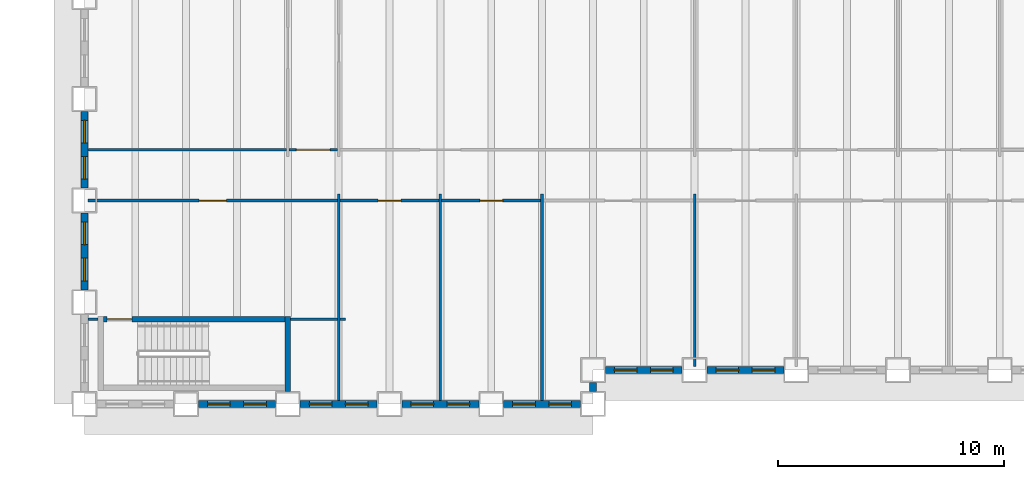
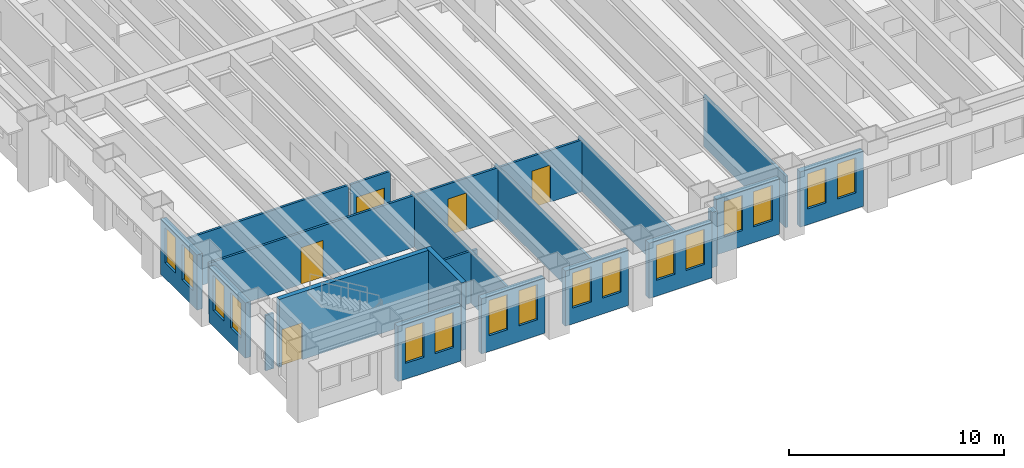
# One storey, part 3 of 16: 23 walls, 16 windows, 5 doors, 21 openings.
"""IFC4 building model written with IfcOpenShell, lengths in metres."""

from ifc_helpers import new_model, si_unit, direction, frame, frame_2d, origin, place, context, subcontext, project, spatial, rectangle, extrude, material, layer, layer_set, type_object, element, fill, save


model = new_model("IFC4")

# Units and contexts
model_context = context("Model", 3, precision=1e-05, world=origin(), true_north=direction((0.0, 1.0)))
body_context = subcontext(model_context, "Body", "Model", "MODEL_VIEW")
ifc_project = project(units=[si_unit("LENGTHUNIT", "METRE"), si_unit("AREAUNIT", "SQUARE_METRE"), si_unit("VOLUMEUNIT", "CUBIC_METRE"), si_unit("PLANEANGLEUNIT", "RADIAN"), si_unit("MASSUNIT", "GRAM", prefix="KILO")], contexts=[model_context])

# Site, building, storey
site_placement = place(None, origin())
site = spatial("IfcSite", under=ifc_project, at=site_placement, CompositionType="ELEMENT")
building_placement = place(site_placement, origin())
building = spatial("IfcBuilding", under=site, at=building_placement, Name="Sennacour Bend Tower", CompositionType="ELEMENT")
storey_placement = place(building_placement, frame((0.0, 0.0, 69.0)))
storey = spatial("IfcBuildingStorey", under=building, at=storey_placement, Name="L15", CompositionType="ELEMENT", Elevation=69.0)

# Walls
ifc_material_1 = material(Name="Plasterboard partition on steel studs", Category="steel")
ifc_layer_1 = layer(ifc_material_1, 0.1201171875, Name="Plasterboard partition on steel studs", Category="steel")
ifc_layer_set_1 = layer_set([ifc_layer_1], Name="Plasterboard partition on steel studs")
wall_type_1 = type_object("IfcWallType", Name="Partition 120", PredefinedType="PARTITIONING", material=ifc_layer_set_1)
for number, where, z_axis, x_axis, name in (
    (1, (11.25, 0.14990234375, 0.0), (0.0, 0.0, 1.0), (0.0, 1.0, 0.0), "P-L15-W013a"),
    (2, (15.75, 0.14990234375, 0.0), (0.0, 0.0, 1.0), (0.0, 1.0, 0.0), "P-L15-W019a"),
    (3, (20.25, 0.14990234375, 0.0), (0.0, 0.0, 1.0), (0.0, 1.0, 0.0), "P-L15-W024a"),
):
    element("IfcWall", number, at=place(storey_placement, frame(where, z_axis=z_axis, x_axis=x_axis)), inside=storey, type_object=wall_type_1, Name=name, PredefinedType="PARTITIONING", context=body_context, shape_type="SweptSolid", body=[
        extrude(rectangle(XDim=9.150146484375, YDim=0.1201171875, at=frame_2d((4.5751953125, 0.0))), origin(), (0.0, 0.0, 1.0), 2.93798828125),
    ])
wall_1_placement = place(storey_placement, frame((27.0, 1.64990234375, 0.0), z_axis=(0.0, 0.0, 1.0), x_axis=(0.0, 1.0, 0.0)))
element("IfcWall", 4, at=wall_1_placement, inside=storey, type_object=wall_type_1, Name="P-L15-W026a", PredefinedType="PARTITIONING", context=body_context, shape_type="SweptSolid", body=[
    extrude(rectangle(XDim=7.650146484375, YDim=0.1201171875, at=frame_2d((3.8251953125, 0.0))), origin(), (0.0, 0.0, 1.0), 2.93798828125),
])
wall_2_placement = place(storey_placement, frame((0.14990234375, 3.75, 0.0), z_axis=(0.0, 0.0, 1.0), x_axis=(1.0, 0.0, 0.0)))
element("IfcWall", 5, at=wall_2_placement, inside=storey, type_object=wall_type_1, Name="P-L15-W053a", PredefinedType="PARTITIONING", context=body_context, shape_type="SweptSolid", body=[
    extrude(rectangle(XDim=0.4501953125, YDim=0.1201171875, at=frame_2d((0.22509765625, 0.0))), origin(), (0.0, 0.0, 1.0), 3.14404296875),
])
wall_3_placement = place(storey_placement, frame((9.125, 3.75, 0.0), z_axis=(0.0, 0.0, 1.0), x_axis=(1.0, 0.0, 0.0)))
element("IfcWall", 6, at=wall_3_placement, inside=storey, type_object=wall_type_1, Name="P-L15-W055aa", PredefinedType="PARTITIONING", context=body_context, shape_type="SweptSolid", body=[
    extrude(rectangle(XDim=2.06494140625, YDim=0.1201171875, at=frame_2d((1.032470703125, 0.0))), origin(), (0.0, 0.0, 1.0), 2.93798828125),
])
wall_4_placement = place(storey_placement, frame((11.31005859375, 3.75, 0.0), z_axis=(0.0, 0.0, 1.0), x_axis=(1.0, 0.0, 0.0)))
element("IfcWall", 7, at=wall_4_placement, inside=storey, type_object=wall_type_1, Name="P-L15-W055ab", PredefinedType="PARTITIONING", context=body_context, shape_type="SweptSolid", body=[
    extrude(rectangle(XDim=0.239990234375, YDim=0.1201171875, at=frame_2d((0.1201171875, 0.0))), origin(), (0.0, 0.0, 1.0), 2.93798828125),
])

# Wall, opening, door
wall_5_placement = place(storey_placement, frame((11.31005859375, 9.0, 0.0), z_axis=(0.0, 0.0, 1.0), x_axis=(1.0, 0.0, 0.0)))
wall_5 = element("IfcWall", 8, at=wall_5_placement, inside=storey, type_object=wall_type_1, Name="P-L15-W061ab", PredefinedType="PARTITIONING", context=body_context, shape_type="SweptSolid", body=[
    extrude(rectangle(XDim=4.3798828125, YDim=0.1201171875, at=frame_2d((2.18994140625, 0.0))), origin(), (0.0, 0.0, 1.0), 2.93798828125),
])
opening_1_placement = place(wall_5_placement, frame((1.68994140625, 0.0, 0.0)))
opening_1 = element("IfcOpeningElement", 9, at=opening_1_placement, cuts=wall_5, Name="Opening OD2", PredefinedType="OPENING", context=body_context, shape_type="SweptSolid", body=[
    extrude(rectangle(XDim=1.0, YDim=2.10009765625, at=frame_2d((0.5, 1.050048828125))), frame((0.0, 0.070068359375, 0.0), z_axis=(0.0, -1.0, 0.0), x_axis=(1.0, 0.0, 0.0)), (0.0, 0.0, 1.0), 0.14013671875),
])
ifc_material_2 = material(Name="Timber", Category="wood")
door_type_1 = type_object("IfcDoorType", Name="DR-OFFICE-1000", OperationType="NOTDEFINED", PredefinedType="DOOR", material=ifc_material_2)
door_1_placement = place(opening_1_placement, origin())
door_1 = element("IfcDoor", 10, at=door_1_placement, inside=storey, type_object=door_type_1, Name="Door", OperationType="SINGLE_SWING_LEFT", OverallHeight=2.10009765625, OverallWidth=1.0, PredefinedType="DOOR", context=body_context, shape_type="SweptSolid", body=[
    extrude(rectangle(XDim=1.0, YDim=2.10009765625, at=frame_2d((0.5, 1.050048828125))), frame((0.0, 0.02490234375, 0.0), z_axis=(0.0, -1.0, 0.0), x_axis=(1.0, 0.0, 0.0)), (0.0, 0.0, 1.0), 0.050048828125),
])
fill(opening_1, door_1)

wall_6_placement = place(storey_placement, frame((15.81005859375, 9.0, 0.0), z_axis=(0.0, 0.0, 1.0), x_axis=(1.0, 0.0, 0.0)))
wall_6 = element("IfcWall", 11, at=wall_6_placement, inside=storey, type_object=wall_type_1, Name="P-L15-W061ac", PredefinedType="PARTITIONING", context=body_context, shape_type="SweptSolid", body=[
    extrude(rectangle(XDim=4.3798828125, YDim=0.1201171875, at=frame_2d((2.18994140625, 0.0))), origin(), (0.0, 0.0, 1.0), 2.93798828125),
])
opening_2_placement = place(wall_6_placement, frame((1.68994140625, 0.0, 0.0)))
opening_2 = element("IfcOpeningElement", 12, at=opening_2_placement, cuts=wall_6, Name="Opening MD2", PredefinedType="OPENING", context=body_context, shape_type="SweptSolid", body=[
    extrude(rectangle(XDim=1.0, YDim=2.10009765625, at=frame_2d((0.5, 1.050048828125))), frame((0.0, 0.070068359375, 0.0), z_axis=(0.0, -1.0, 0.0), x_axis=(1.0, 0.0, 0.0)), (0.0, 0.0, 1.0), 0.14013671875),
])
door_type_2 = type_object("IfcDoorType", Name="DR-MEETING-1000", OperationType="NOTDEFINED", PredefinedType="DOOR", material=ifc_material_2)
door_2_placement = place(opening_2_placement, origin())
door_2 = element("IfcDoor", 13, at=door_2_placement, inside=storey, type_object=door_type_2, Name="Door", OperationType="SINGLE_SWING_LEFT", OverallHeight=2.10009765625, OverallWidth=1.0, PredefinedType="DOOR", context=body_context, shape_type="SweptSolid", body=[
    extrude(rectangle(XDim=1.0, YDim=2.10009765625, at=frame_2d((0.5, 1.050048828125))), frame((0.0, 0.02490234375, 0.0), z_axis=(0.0, -1.0, 0.0), x_axis=(1.0, 0.0, 0.0)), (0.0, 0.0, 1.0), 0.050048828125),
])
fill(opening_2, door_2)

# Wall
wall_7_placement = place(storey_placement, frame((0.14990234375, 11.25, 0.0), z_axis=(0.0, 0.0, 1.0), x_axis=(1.0, 0.0, 0.0)))
element("IfcWall", 14, at=wall_7_placement, inside=storey, type_object=wall_type_1, Name="P-L15-W063aa", PredefinedType="PARTITIONING", context=body_context, shape_type="SweptSolid", body=[
    extrude(rectangle(XDim=8.7900390625, YDim=0.1201171875, at=frame_2d((4.39501953125, 0.0))), origin(), (0.0, 0.0, 1.0), 2.93798828125),
])

# Wall, opening, door
ifc_layer_2 = layer(ifc_material_1, 0.1201171875, Name="Plasterboard partition on steel studs", Category="steel")
ifc_layer_set_2 = layer_set([ifc_layer_2], Name="Plasterboard partition on steel studs")
wall_type_2 = type_object("IfcWallType", Name="Partition 120 EI 30", PredefinedType="PARTITIONING", material=ifc_layer_set_2)
wall_8_placement = place(storey_placement, frame((0.14990234375, 9.0, 0.0), z_axis=(0.0, 0.0, 1.0), x_axis=(1.0, 0.0, 0.0)))
wall_8 = element("IfcWall", 15, at=wall_8_placement, inside=storey, type_object=wall_type_2, Name="P-L15-W061aa", PredefinedType="PARTITIONING", context=body_context, shape_type="SweptSolid", body=[
    extrude(rectangle(XDim=11.0400390625, YDim=0.1201171875, at=frame_2d((5.52001953125, 0.0))), origin(), (0.0, 0.0, 1.0), 2.93798828125),
])
opening_3_placement = place(wall_8_placement, frame((4.93017578125, 0.0, 0.0)))
opening_3 = element("IfcOpeningElement", 16, at=opening_3_placement, cuts=wall_8, Name="Opening KD2", PredefinedType="OPENING", context=body_context, shape_type="SweptSolid", body=[
    extrude(rectangle(XDim=1.199951171875, YDim=2.10009765625, at=frame_2d((0.60009765625, 1.050048828125))), frame((0.0, 0.070068359375, 0.0), z_axis=(0.0, -1.0, 0.0), x_axis=(1.0, 0.0, 0.0)), (0.0, 0.0, 1.0), 0.14013671875),
])
ifc_material_3 = material(Name="Painted steel", Category="steel")
door_type_3 = type_object("IfcDoorType", Name="DR-CORRIDOR-1200", OperationType="NOTDEFINED", PredefinedType="DOOR", material=ifc_material_3)
door_3_placement = place(opening_3_placement, origin())
door_3 = element("IfcDoor", 17, at=door_3_placement, inside=storey, type_object=door_type_3, Name="Door", OperationType="SINGLE_SWING_LEFT", OverallHeight=2.10009765625, OverallWidth=1.199951171875, PredefinedType="DOOR", context=body_context, shape_type="SweptSolid", body=[
    extrude(rectangle(XDim=1.199951171875, YDim=2.10009765625, at=frame_2d((0.60009765625, 1.050048828125))), frame((0.0, 0.02490234375, 0.0), z_axis=(0.0, -1.0, 0.0), x_axis=(1.0, 0.0, 0.0)), (0.0, 0.0, 1.0), 0.050048828125),
])
fill(opening_3, door_3)

wall_9_placement = place(storey_placement, frame((9.06005859375, 11.25, 0.0), z_axis=(0.0, 0.0, 1.0), x_axis=(1.0, 0.0, 0.0)))
wall_9 = element("IfcWall", 18, at=wall_9_placement, inside=storey, type_object=wall_type_2, Name="P-L15-W063ab", PredefinedType="PARTITIONING", context=body_context, shape_type="SweptSolid", body=[
    extrude(rectangle(XDim=2.1298828125, YDim=0.1201171875, at=frame_2d((1.06494140625, 0.0))), origin(), (0.0, 0.0, 1.0), 2.93798828125),
])
opening_4_placement = place(wall_9_placement, frame((0.31494140625, 0.0, 0.0)))
opening_4 = element("IfcOpeningElement", 19, at=opening_4_placement, cuts=wall_9, Name="Opening KD", PredefinedType="OPENING", context=body_context, shape_type="SweptSolid", body=[
    extrude(rectangle(XDim=1.5, YDim=2.10009765625, at=frame_2d((0.75, 1.050048828125))), frame((0.0, 0.070068359375, 0.0), z_axis=(0.0, -1.0, 0.0), x_axis=(1.0, 0.0, 0.0)), (0.0, 0.0, 1.0), 0.14013671875),
])
door_type_4 = type_object("IfcDoorType", Name="DR-CORRIDOR-1500", OperationType="NOTDEFINED", PredefinedType="DOOR", material=ifc_material_3)
door_4_placement = place(opening_4_placement, origin())
door_4 = element("IfcDoor", 20, at=door_4_placement, inside=storey, type_object=door_type_4, Name="Door", OperationType="SINGLE_SWING_LEFT", OverallHeight=2.10009765625, OverallWidth=1.5, PredefinedType="DOOR", context=body_context, shape_type="SweptSolid", body=[
    extrude(rectangle(XDim=1.5, YDim=2.10009765625, at=frame_2d((0.75, 1.050048828125))), frame((0.0, 0.02490234375, 0.0), z_axis=(0.0, -1.0, 0.0), x_axis=(1.0, 0.0, 0.0)), (0.0, 0.0, 1.0), 0.050048828125),
])
fill(opening_4, door_4)

# Wall, openings, windows
ifc_material_4 = material(Name="Warm limestone cladding", Category="masonry")
ifc_layer_3 = layer(ifc_material_4, 0.050048828125, Name="Warm limestone cladding", Category="masonry")
ifc_material_5 = material(Name="Precast concrete C40/50", Category="concrete")
ifc_layer_4 = layer(ifc_material_5, 0.25, Name="Precast concrete C40/50", Category="concrete")
ifc_layer_set_3 = layer_set([ifc_layer_3, ifc_layer_4], Name="Precast concrete C40/50 with limestone cladding")
wall_type_3 = type_object("IfcWallType", Name="STONE-CLAD PRECAST SPANDREL 300", PredefinedType="STANDARD", material=ifc_layer_set_3)
wall_10_placement = place(storey_placement, frame((5.050048828125, 0.0, 0.0), z_axis=(0.0, 0.0, 1.0), x_axis=(1.0, 0.0, 0.0)))
wall_10 = element("IfcWall", 21, at=wall_10_placement, inside=storey, type_object=wall_type_3, Name="Stone spandrel and pier wall L15 00.01", PredefinedType="STANDARD", context=body_context, shape_type="SweptSolid", body=[
    extrude(rectangle(XDim=3.39990234375, YDim=0.300048828125, at=frame_2d((1.699951171875, 0.0))), origin(), (0.0, 0.0, 1.0), 3.14404296875),
])
opening_5_placement = place(wall_10_placement, frame((0.39990234375, 0.0, 0.89990234375)))
opening_5 = element("IfcOpeningElement", 22, at=opening_5_placement, cuts=wall_10, Name="Opening W8", PredefinedType="OPENING", context=body_context, shape_type="SweptSolid", body=[
    extrude(rectangle(XDim=1.0, YDim=2.0, at=frame_2d((0.5, 1.0))), frame((0.0, 0.16015625, 0.0), z_axis=(0.0, -1.0, 0.0), x_axis=(1.0, 0.0, 0.0)), (0.0, 0.0, 1.0), 0.320068359375),
])
opening_6_placement = place(wall_10_placement, frame((2.0, 0.0, 0.89990234375)))
opening_6 = element("IfcOpeningElement", 23, at=opening_6_placement, cuts=wall_10, Name="Opening W8", PredefinedType="OPENING", context=body_context, shape_type="SweptSolid", body=[
    extrude(rectangle(XDim=1.0, YDim=2.0, at=frame_2d((0.5, 1.0))), frame((0.0, 0.16015625, 0.0), z_axis=(0.0, -1.0, 0.0), x_axis=(1.0, 0.0, 0.0)), (0.0, 0.0, 1.0), 0.320068359375),
])
ifc_material_6 = material(Name="Clear low-emissivity glass", Category="glass")
window_type = type_object("IfcWindowType", Name="WIN-RIBBON-1000x2000", PartitioningType="SINGLE_PANEL", PredefinedType="WINDOW", material=ifc_material_6)
window_1_placement = place(opening_5_placement, origin())
window_1 = element("IfcWindow", 24, at=window_1_placement, inside=storey, type_object=window_type, Name="Ribbon window L15 00.01.0", OverallHeight=2.0, OverallWidth=1.0, PartitioningType="SINGLE_PANEL", PredefinedType="WINDOW", context=body_context, shape_type="SweptSolid", body=[
    extrude(rectangle(XDim=1.0, YDim=2.0, at=frame_2d((0.5, 1.0))), frame((0.0, 0.030029296875, 0.0), z_axis=(0.0, -1.0, 0.0), x_axis=(1.0, 0.0, 0.0)), (0.0, 0.0, 1.0), 0.06005859375),
])
fill(opening_5, window_1)
window_2_placement = place(opening_6_placement, origin())
window_2 = element("IfcWindow", 25, at=window_2_placement, inside=storey, type_object=window_type, Name="Ribbon window L15 00.01.1", OverallHeight=2.0, OverallWidth=1.0, PartitioningType="SINGLE_PANEL", PredefinedType="WINDOW", context=body_context, shape_type="SweptSolid", body=[
    extrude(rectangle(XDim=1.0, YDim=2.0, at=frame_2d((0.5, 1.0))), frame((0.0, 0.030029296875, 0.0), z_axis=(0.0, -1.0, 0.0), x_axis=(1.0, 0.0, 0.0)), (0.0, 0.0, 1.0), 0.06005859375),
])
fill(opening_6, window_2)

wall_11_placement = place(storey_placement, frame((9.550048828125, 0.0, 0.0), z_axis=(0.0, 0.0, 1.0), x_axis=(1.0, 0.0, 0.0)))
wall_11 = element("IfcWall", 26, at=wall_11_placement, inside=storey, type_object=wall_type_3, Name="Stone spandrel and pier wall L15 00.02", PredefinedType="STANDARD", context=body_context, shape_type="SweptSolid", body=[
    extrude(rectangle(XDim=3.39990234375, YDim=0.300048828125, at=frame_2d((1.699951171875, 0.0))), origin(), (0.0, 0.0, 1.0), 3.14404296875),
])
opening_7_placement = place(wall_11_placement, frame((0.39990234375, 0.0, 0.89990234375)))
opening_7 = element("IfcOpeningElement", 27, at=opening_7_placement, cuts=wall_11, Name="Opening W8", PredefinedType="OPENING", context=body_context, shape_type="SweptSolid", body=[
    extrude(rectangle(XDim=1.0, YDim=2.0, at=frame_2d((0.5, 1.0))), frame((0.0, 0.16015625, 0.0), z_axis=(0.0, -1.0, 0.0), x_axis=(1.0, 0.0, 0.0)), (0.0, 0.0, 1.0), 0.320068359375),
])
opening_8_placement = place(wall_11_placement, frame((2.0, 0.0, 0.89990234375)))
opening_8 = element("IfcOpeningElement", 28, at=opening_8_placement, cuts=wall_11, Name="Opening W8", PredefinedType="OPENING", context=body_context, shape_type="SweptSolid", body=[
    extrude(rectangle(XDim=1.0, YDim=2.0, at=frame_2d((0.5, 1.0))), frame((0.0, 0.16015625, 0.0), z_axis=(0.0, -1.0, 0.0), x_axis=(1.0, 0.0, 0.0)), (0.0, 0.0, 1.0), 0.320068359375),
])
window_3_placement = place(opening_7_placement, origin())
window_3 = element("IfcWindow", 29, at=window_3_placement, inside=storey, type_object=window_type, Name="Ribbon window L15 00.02.0", OverallHeight=2.0, OverallWidth=1.0, PartitioningType="SINGLE_PANEL", PredefinedType="WINDOW", context=body_context, shape_type="SweptSolid", body=[
    extrude(rectangle(XDim=1.0, YDim=2.0, at=frame_2d((0.5, 1.0))), frame((0.0, 0.030029296875, 0.0), z_axis=(0.0, -1.0, 0.0), x_axis=(1.0, 0.0, 0.0)), (0.0, 0.0, 1.0), 0.06005859375),
])
fill(opening_7, window_3)
window_4_placement = place(opening_8_placement, origin())
window_4 = element("IfcWindow", 30, at=window_4_placement, inside=storey, type_object=window_type, Name="Ribbon window L15 00.02.1", OverallHeight=2.0, OverallWidth=1.0, PartitioningType="SINGLE_PANEL", PredefinedType="WINDOW", context=body_context, shape_type="SweptSolid", body=[
    extrude(rectangle(XDim=1.0, YDim=2.0, at=frame_2d((0.5, 1.0))), frame((0.0, 0.030029296875, 0.0), z_axis=(0.0, -1.0, 0.0), x_axis=(1.0, 0.0, 0.0)), (0.0, 0.0, 1.0), 0.06005859375),
])
fill(opening_8, window_4)

wall_12_placement = place(storey_placement, frame((14.050048828125, 0.0, 0.0), z_axis=(0.0, 0.0, 1.0), x_axis=(1.0, 0.0, 0.0)))
wall_12 = element("IfcWall", 31, at=wall_12_placement, inside=storey, type_object=wall_type_3, Name="Stone spandrel and pier wall L15 00.03", PredefinedType="STANDARD", context=body_context, shape_type="SweptSolid", body=[
    extrude(rectangle(XDim=3.39990234375, YDim=0.300048828125, at=frame_2d((1.699951171875, 0.0))), origin(), (0.0, 0.0, 1.0), 3.14404296875),
])
opening_9_placement = place(wall_12_placement, frame((0.39990234375, 0.0, 0.89990234375)))
opening_9 = element("IfcOpeningElement", 32, at=opening_9_placement, cuts=wall_12, Name="Opening W8", PredefinedType="OPENING", context=body_context, shape_type="SweptSolid", body=[
    extrude(rectangle(XDim=1.0, YDim=2.0, at=frame_2d((0.5, 1.0))), frame((0.0, 0.16015625, 0.0), z_axis=(0.0, -1.0, 0.0), x_axis=(1.0, 0.0, 0.0)), (0.0, 0.0, 1.0), 0.320068359375),
])
opening_10_placement = place(wall_12_placement, frame((2.0, 0.0, 0.89990234375)))
opening_10 = element("IfcOpeningElement", 33, at=opening_10_placement, cuts=wall_12, Name="Opening W8", PredefinedType="OPENING", context=body_context, shape_type="SweptSolid", body=[
    extrude(rectangle(XDim=1.0, YDim=2.0, at=frame_2d((0.5, 1.0))), frame((0.0, 0.16015625, 0.0), z_axis=(0.0, -1.0, 0.0), x_axis=(1.0, 0.0, 0.0)), (0.0, 0.0, 1.0), 0.320068359375),
])
window_5_placement = place(opening_9_placement, origin())
window_5 = element("IfcWindow", 34, at=window_5_placement, inside=storey, type_object=window_type, Name="Ribbon window L15 00.03.0", OverallHeight=2.0, OverallWidth=1.0, PartitioningType="SINGLE_PANEL", PredefinedType="WINDOW", context=body_context, shape_type="SweptSolid", body=[
    extrude(rectangle(XDim=1.0, YDim=2.0, at=frame_2d((0.5, 1.0))), frame((0.0, 0.030029296875, 0.0), z_axis=(0.0, -1.0, 0.0), x_axis=(1.0, 0.0, 0.0)), (0.0, 0.0, 1.0), 0.06005859375),
])
fill(opening_9, window_5)
window_6_placement = place(opening_10_placement, origin())
window_6 = element("IfcWindow", 35, at=window_6_placement, inside=storey, type_object=window_type, Name="Ribbon window L15 00.03.1", OverallHeight=2.0, OverallWidth=1.0, PartitioningType="SINGLE_PANEL", PredefinedType="WINDOW", context=body_context, shape_type="SweptSolid", body=[
    extrude(rectangle(XDim=1.0, YDim=2.0, at=frame_2d((0.5, 1.0))), frame((0.0, 0.030029296875, 0.0), z_axis=(0.0, -1.0, 0.0), x_axis=(1.0, 0.0, 0.0)), (0.0, 0.0, 1.0), 0.06005859375),
])
fill(opening_10, window_6)

wall_13_placement = place(storey_placement, frame((18.550048828125, 0.0, 0.0), z_axis=(0.0, 0.0, 1.0), x_axis=(1.0, 0.0, 0.0)))
wall_13 = element("IfcWall", 36, at=wall_13_placement, inside=storey, type_object=wall_type_3, Name="Stone spandrel and pier wall L15 00.04", PredefinedType="STANDARD", context=body_context, shape_type="SweptSolid", body=[
    extrude(rectangle(XDim=3.39990234375, YDim=0.300048828125, at=frame_2d((1.699951171875, 0.0))), origin(), (0.0, 0.0, 1.0), 3.14404296875),
])
opening_11_placement = place(wall_13_placement, frame((0.39990234375, 0.0, 0.89990234375)))
opening_11 = element("IfcOpeningElement", 37, at=opening_11_placement, cuts=wall_13, Name="Opening W8", PredefinedType="OPENING", context=body_context, shape_type="SweptSolid", body=[
    extrude(rectangle(XDim=1.0, YDim=2.0, at=frame_2d((0.5, 1.0))), frame((0.0, 0.16015625, 0.0), z_axis=(0.0, -1.0, 0.0), x_axis=(1.0, 0.0, 0.0)), (0.0, 0.0, 1.0), 0.320068359375),
])
opening_12_placement = place(wall_13_placement, frame((2.0, 0.0, 0.89990234375)))
opening_12 = element("IfcOpeningElement", 38, at=opening_12_placement, cuts=wall_13, Name="Opening W8", PredefinedType="OPENING", context=body_context, shape_type="SweptSolid", body=[
    extrude(rectangle(XDim=1.0, YDim=2.0, at=frame_2d((0.5, 1.0))), frame((0.0, 0.16015625, 0.0), z_axis=(0.0, -1.0, 0.0), x_axis=(1.0, 0.0, 0.0)), (0.0, 0.0, 1.0), 0.320068359375),
])
window_7_placement = place(opening_11_placement, origin())
window_7 = element("IfcWindow", 39, at=window_7_placement, inside=storey, type_object=window_type, Name="Ribbon window L15 00.04.0", OverallHeight=2.0, OverallWidth=1.0, PartitioningType="SINGLE_PANEL", PredefinedType="WINDOW", context=body_context, shape_type="SweptSolid", body=[
    extrude(rectangle(XDim=1.0, YDim=2.0, at=frame_2d((0.5, 1.0))), frame((0.0, 0.030029296875, 0.0), z_axis=(0.0, -1.0, 0.0), x_axis=(1.0, 0.0, 0.0)), (0.0, 0.0, 1.0), 0.06005859375),
])
fill(opening_11, window_7)
window_8_placement = place(opening_12_placement, origin())
window_8 = element("IfcWindow", 40, at=window_8_placement, inside=storey, type_object=window_type, Name="Ribbon window L15 00.04.1", OverallHeight=2.0, OverallWidth=1.0, PartitioningType="SINGLE_PANEL", PredefinedType="WINDOW", context=body_context, shape_type="SweptSolid", body=[
    extrude(rectangle(XDim=1.0, YDim=2.0, at=frame_2d((0.5, 1.0))), frame((0.0, 0.030029296875, 0.0), z_axis=(0.0, -1.0, 0.0), x_axis=(1.0, 0.0, 0.0)), (0.0, 0.0, 1.0), 0.06005859375),
])
fill(opening_12, window_8)

# Wall
wall_14_placement = place(storey_placement, frame((22.5, 0.550048828125, 0.0), z_axis=(0.0, 0.0, 1.0), x_axis=(0.0, 1.0, 0.0)))
element("IfcWall", 41, at=wall_14_placement, inside=storey, type_object=wall_type_3, Name="Stone spandrel and pier wall L15 01.00", PredefinedType="STANDARD", context=body_context, shape_type="SweptSolid", body=[
    extrude(rectangle(XDim=0.39990234375, YDim=0.300048828125, at=frame_2d((0.199951171875, 0.0))), origin(), (0.0, 0.0, 1.0), 3.14404296875),
])

# Wall, openings, windows
wall_15_placement = place(storey_placement, frame((23.050048828125, 1.5, 0.0), z_axis=(0.0, 0.0, 1.0), x_axis=(1.0, 0.0, 0.0)))
wall_15 = element("IfcWall", 42, at=wall_15_placement, inside=storey, type_object=wall_type_3, Name="Stone spandrel and pier wall L15 02.00", PredefinedType="STANDARD", context=body_context, shape_type="SweptSolid", body=[
    extrude(rectangle(XDim=3.39990234375, YDim=0.300048828125, at=frame_2d((1.699951171875, 0.0))), origin(), (0.0, 0.0, 1.0), 3.14404296875),
])
opening_13_placement = place(wall_15_placement, frame((0.39990234375, 0.0, 0.89990234375)))
opening_13 = element("IfcOpeningElement", 43, at=opening_13_placement, cuts=wall_15, Name="Opening W8", PredefinedType="OPENING", context=body_context, shape_type="SweptSolid", body=[
    extrude(rectangle(XDim=1.0, YDim=2.0, at=frame_2d((0.5, 1.0))), frame((0.0, 0.16015625, 0.0), z_axis=(0.0, -1.0, 0.0), x_axis=(1.0, 0.0, 0.0)), (0.0, 0.0, 1.0), 0.320068359375),
])
opening_14_placement = place(wall_15_placement, frame((2.0, 0.0, 0.89990234375)))
opening_14 = element("IfcOpeningElement", 44, at=opening_14_placement, cuts=wall_15, Name="Opening W8", PredefinedType="OPENING", context=body_context, shape_type="SweptSolid", body=[
    extrude(rectangle(XDim=1.0, YDim=2.0, at=frame_2d((0.5, 1.0))), frame((0.0, 0.16015625, 0.0), z_axis=(0.0, -1.0, 0.0), x_axis=(1.0, 0.0, 0.0)), (0.0, 0.0, 1.0), 0.320068359375),
])
window_9_placement = place(opening_13_placement, origin())
window_9 = element("IfcWindow", 45, at=window_9_placement, inside=storey, type_object=window_type, Name="Ribbon window L15 02.00.0", OverallHeight=2.0, OverallWidth=1.0, PartitioningType="SINGLE_PANEL", PredefinedType="WINDOW", context=body_context, shape_type="SweptSolid", body=[
    extrude(rectangle(XDim=1.0, YDim=2.0, at=frame_2d((0.5, 1.0))), frame((0.0, 0.030029296875, 0.0), z_axis=(0.0, -1.0, 0.0), x_axis=(1.0, 0.0, 0.0)), (0.0, 0.0, 1.0), 0.06005859375),
])
fill(opening_13, window_9)
window_10_placement = place(opening_14_placement, origin())
window_10 = element("IfcWindow", 46, at=window_10_placement, inside=storey, type_object=window_type, Name="Ribbon window L15 02.00.1", OverallHeight=2.0, OverallWidth=1.0, PartitioningType="SINGLE_PANEL", PredefinedType="WINDOW", context=body_context, shape_type="SweptSolid", body=[
    extrude(rectangle(XDim=1.0, YDim=2.0, at=frame_2d((0.5, 1.0))), frame((0.0, 0.030029296875, 0.0), z_axis=(0.0, -1.0, 0.0), x_axis=(1.0, 0.0, 0.0)), (0.0, 0.0, 1.0), 0.06005859375),
])
fill(opening_14, window_10)

wall_16_placement = place(storey_placement, frame((27.550048828125, 1.5, 0.0), z_axis=(0.0, 0.0, 1.0), x_axis=(1.0, 0.0, 0.0)))
wall_16 = element("IfcWall", 47, at=wall_16_placement, inside=storey, type_object=wall_type_3, Name="Stone spandrel and pier wall L15 02.01", PredefinedType="STANDARD", context=body_context, shape_type="SweptSolid", body=[
    extrude(rectangle(XDim=3.39990234375, YDim=0.300048828125, at=frame_2d((1.699951171875, 0.0))), origin(), (0.0, 0.0, 1.0), 3.14404296875),
])
opening_15_placement = place(wall_16_placement, frame((0.39990234375, 0.0, 0.89990234375)))
opening_15 = element("IfcOpeningElement", 48, at=opening_15_placement, cuts=wall_16, Name="Opening W8", PredefinedType="OPENING", context=body_context, shape_type="SweptSolid", body=[
    extrude(rectangle(XDim=1.0, YDim=2.0, at=frame_2d((0.5, 1.0))), frame((0.0, 0.16015625, 0.0), z_axis=(0.0, -1.0, 0.0), x_axis=(1.0, 0.0, 0.0)), (0.0, 0.0, 1.0), 0.320068359375),
])
opening_16_placement = place(wall_16_placement, frame((2.0, 0.0, 0.89990234375)))
opening_16 = element("IfcOpeningElement", 49, at=opening_16_placement, cuts=wall_16, Name="Opening W8", PredefinedType="OPENING", context=body_context, shape_type="SweptSolid", body=[
    extrude(rectangle(XDim=1.0, YDim=2.0, at=frame_2d((0.5, 1.0))), frame((0.0, 0.16015625, 0.0), z_axis=(0.0, -1.0, 0.0), x_axis=(1.0, 0.0, 0.0)), (0.0, 0.0, 1.0), 0.320068359375),
])
window_11_placement = place(opening_15_placement, origin())
window_11 = element("IfcWindow", 50, at=window_11_placement, inside=storey, type_object=window_type, Name="Ribbon window L15 02.01.0", OverallHeight=2.0, OverallWidth=1.0, PartitioningType="SINGLE_PANEL", PredefinedType="WINDOW", context=body_context, shape_type="SweptSolid", body=[
    extrude(rectangle(XDim=1.0, YDim=2.0, at=frame_2d((0.5, 1.0))), frame((0.0, 0.030029296875, 0.0), z_axis=(0.0, -1.0, 0.0), x_axis=(1.0, 0.0, 0.0)), (0.0, 0.0, 1.0), 0.06005859375),
])
fill(opening_15, window_11)
window_12_placement = place(opening_16_placement, origin())
window_12 = element("IfcWindow", 51, at=window_12_placement, inside=storey, type_object=window_type, Name="Ribbon window L15 02.01.1", OverallHeight=2.0, OverallWidth=1.0, PartitioningType="SINGLE_PANEL", PredefinedType="WINDOW", context=body_context, shape_type="SweptSolid", body=[
    extrude(rectangle(XDim=1.0, YDim=2.0, at=frame_2d((0.5, 1.0))), frame((0.0, 0.030029296875, 0.0), z_axis=(0.0, -1.0, 0.0), x_axis=(1.0, 0.0, 0.0)), (0.0, 0.0, 1.0), 0.06005859375),
])
fill(opening_16, window_12)

wall_17_placement = place(storey_placement, frame((0.0, 12.949951171875, 0.0), z_axis=(0.0, 0.0, 1.0), x_axis=(0.0, -1.0, 0.0)))
wall_17 = element("IfcWall", 52, at=wall_17_placement, inside=storey, type_object=wall_type_3, Name="Stone spandrel and pier wall L15 23.02", PredefinedType="STANDARD", context=body_context, shape_type="SweptSolid", body=[
    extrude(rectangle(XDim=3.39990234375, YDim=0.300048828125, at=frame_2d((1.699951171875, 0.0))), origin(), (0.0, 0.0, 1.0), 3.14404296875),
])
opening_17_placement = place(wall_17_placement, frame((0.39990234375, 0.0, 0.89990234375)))
opening_17 = element("IfcOpeningElement", 53, at=opening_17_placement, cuts=wall_17, Name="Opening W8", PredefinedType="OPENING", context=body_context, shape_type="SweptSolid", body=[
    extrude(rectangle(XDim=1.0, YDim=2.0, at=frame_2d((0.5, 1.0))), frame((0.0, 0.16015625, 0.0), z_axis=(0.0, -1.0, 0.0), x_axis=(1.0, 0.0, 0.0)), (0.0, 0.0, 1.0), 0.320068359375),
])
opening_18_placement = place(wall_17_placement, frame((2.0, 0.0, 0.89990234375)))
opening_18 = element("IfcOpeningElement", 54, at=opening_18_placement, cuts=wall_17, Name="Opening W8", PredefinedType="OPENING", context=body_context, shape_type="SweptSolid", body=[
    extrude(rectangle(XDim=1.0, YDim=2.0, at=frame_2d((0.5, 1.0))), frame((0.0, 0.16015625, 0.0), z_axis=(0.0, -1.0, 0.0), x_axis=(1.0, 0.0, 0.0)), (0.0, 0.0, 1.0), 0.320068359375),
])
window_13_placement = place(opening_17_placement, origin())
window_13 = element("IfcWindow", 55, at=window_13_placement, inside=storey, type_object=window_type, Name="Ribbon window L15 23.02.0", OverallHeight=2.0, OverallWidth=1.0, PartitioningType="SINGLE_PANEL", PredefinedType="WINDOW", context=body_context, shape_type="SweptSolid", body=[
    extrude(rectangle(XDim=1.0, YDim=2.0, at=frame_2d((0.5, 1.0))), frame((0.0, 0.030029296875, 0.0), z_axis=(0.0, -1.0, 0.0), x_axis=(1.0, 0.0, 0.0)), (0.0, 0.0, 1.0), 0.06005859375),
])
fill(opening_17, window_13)
window_14_placement = place(opening_18_placement, origin())
window_14 = element("IfcWindow", 56, at=window_14_placement, inside=storey, type_object=window_type, Name="Ribbon window L15 23.02.1", OverallHeight=2.0, OverallWidth=1.0, PartitioningType="SINGLE_PANEL", PredefinedType="WINDOW", context=body_context, shape_type="SweptSolid", body=[
    extrude(rectangle(XDim=1.0, YDim=2.0, at=frame_2d((0.5, 1.0))), frame((0.0, 0.030029296875, 0.0), z_axis=(0.0, -1.0, 0.0), x_axis=(1.0, 0.0, 0.0)), (0.0, 0.0, 1.0), 0.06005859375),
])
fill(opening_18, window_14)

wall_18_placement = place(storey_placement, frame((0.0, 8.449951171875, 0.0), z_axis=(0.0, 0.0, 1.0), x_axis=(0.0, -1.0, 0.0)))
wall_18 = element("IfcWall", 57, at=wall_18_placement, inside=storey, type_object=wall_type_3, Name="Stone spandrel and pier wall L15 23.03", PredefinedType="STANDARD", context=body_context, shape_type="SweptSolid", body=[
    extrude(rectangle(XDim=3.39990234375, YDim=0.300048828125, at=frame_2d((1.699951171875, 0.0))), origin(), (0.0, 0.0, 1.0), 3.14404296875),
])
opening_19_placement = place(wall_18_placement, frame((0.39990234375, 0.0, 0.89990234375)))
opening_19 = element("IfcOpeningElement", 58, at=opening_19_placement, cuts=wall_18, Name="Opening W8", PredefinedType="OPENING", context=body_context, shape_type="SweptSolid", body=[
    extrude(rectangle(XDim=1.0, YDim=2.0, at=frame_2d((0.5, 1.0))), frame((0.0, 0.16015625, 0.0), z_axis=(0.0, -1.0, 0.0), x_axis=(1.0, 0.0, 0.0)), (0.0, 0.0, 1.0), 0.320068359375),
])
opening_20_placement = place(wall_18_placement, frame((2.0, 0.0, 0.89990234375)))
opening_20 = element("IfcOpeningElement", 59, at=opening_20_placement, cuts=wall_18, Name="Opening W8", PredefinedType="OPENING", context=body_context, shape_type="SweptSolid", body=[
    extrude(rectangle(XDim=1.0, YDim=2.0, at=frame_2d((0.5, 1.0))), frame((0.0, 0.16015625, 0.0), z_axis=(0.0, -1.0, 0.0), x_axis=(1.0, 0.0, 0.0)), (0.0, 0.0, 1.0), 0.320068359375),
])
window_15_placement = place(opening_19_placement, origin())
window_15 = element("IfcWindow", 60, at=window_15_placement, inside=storey, type_object=window_type, Name="Ribbon window L15 23.03.0", OverallHeight=2.0, OverallWidth=1.0, PartitioningType="SINGLE_PANEL", PredefinedType="WINDOW", context=body_context, shape_type="SweptSolid", body=[
    extrude(rectangle(XDim=1.0, YDim=2.0, at=frame_2d((0.5, 1.0))), frame((0.0, 0.030029296875, 0.0), z_axis=(0.0, -1.0, 0.0), x_axis=(1.0, 0.0, 0.0)), (0.0, 0.0, 1.0), 0.06005859375),
])
fill(opening_19, window_15)
window_16_placement = place(opening_20_placement, origin())
window_16 = element("IfcWindow", 61, at=window_16_placement, inside=storey, type_object=window_type, Name="Ribbon window L15 23.03.1", OverallHeight=2.0, OverallWidth=1.0, PartitioningType="SINGLE_PANEL", PredefinedType="WINDOW", context=body_context, shape_type="SweptSolid", body=[
    extrude(rectangle(XDim=1.0, YDim=2.0, at=frame_2d((0.5, 1.0))), frame((0.0, 0.030029296875, 0.0), z_axis=(0.0, -1.0, 0.0), x_axis=(1.0, 0.0, 0.0)), (0.0, 0.0, 1.0), 0.06005859375),
])
fill(opening_20, window_16)

# Wall
ifc_material_7 = material(Name="Concrete C60/75", Category="concrete")
ifc_layer_5 = layer(ifc_material_7, 0.25, Name="Concrete C60/75", Category="concrete")
ifc_layer_set_4 = layer_set([ifc_layer_5], Name="Concrete C60/75")
wall_type_4 = type_object("IfcWallType", Name="Stair wall 250", PredefinedType="SHEAR", material=ifc_layer_set_4)
wall_19_placement = place(storey_placement, frame((9.0, 0.550048828125, 0.0), z_axis=(0.0, 0.0, 1.0), x_axis=(0.0, 1.0, 0.0)))
element("IfcWall", 62, at=wall_19_placement, inside=storey, type_object=wall_type_4, Name="P-L15-W010", PredefinedType="SHEAR", context=body_context, shape_type="SweptSolid", body=[
    extrude(rectangle(XDim=3.324951171875, YDim=0.25, at=frame_2d((1.66259765625, 0.0))), origin(), (0.0, 0.0, 1.0), 3.85009765625),
])

# Wall, opening, door
wall_20_placement = place(storey_placement, frame((0.85009765625, 3.75, 0.0), z_axis=(0.0, 0.0, 1.0), x_axis=(1.0, 0.0, 0.0)))
wall_20 = element("IfcWall", 63, at=wall_20_placement, inside=storey, type_object=wall_type_4, Name="P-L15-W054", PredefinedType="SHEAR", context=body_context, shape_type="SweptSolid", body=[
    extrude(rectangle(XDim=8.02490234375, YDim=0.25, at=frame_2d((4.012451171875, 0.0))), origin(), (0.0, 0.0, 1.0), 3.85009765625),
])
opening_21_placement = place(wall_20_placement, frame((0.14990234375, 0.0, 0.0)))
opening_21 = element("IfcOpeningElement", 64, at=opening_21_placement, cuts=wall_20, Name="Opening SD", PredefinedType="OPENING", context=body_context, shape_type="SweptSolid", body=[
    extrude(rectangle(XDim=1.10009765625, YDim=2.10009765625, at=frame_2d((0.550048828125, 1.050048828125))), frame((0.0, 0.135009765625, 0.0), z_axis=(0.0, -1.0, 0.0), x_axis=(1.0, 0.0, 0.0)), (0.0, 0.0, 1.0), 0.27001953125),
])
door_type_5 = type_object("IfcDoorType", Name="DR-STAIR-1100", OperationType="NOTDEFINED", PredefinedType="DOOR", material=ifc_material_3)
door_5_placement = place(opening_21_placement, origin())
door_5 = element("IfcDoor", 65, at=door_5_placement, inside=storey, type_object=door_type_5, Name="Door", OperationType="SINGLE_SWING_LEFT", OverallHeight=2.10009765625, OverallWidth=1.10009765625, PredefinedType="DOOR", context=body_context, shape_type="SweptSolid", body=[
    extrude(rectangle(XDim=1.10009765625, YDim=2.10009765625, at=frame_2d((0.550048828125, 1.050048828125))), frame((0.0, 0.02490234375, 0.0), z_axis=(0.0, -1.0, 0.0), x_axis=(1.0, 0.0, 0.0)), (0.0, 0.0, 1.0), 0.050048828125),
])
fill(opening_21, door_5)

save(model, "model.ifc")
